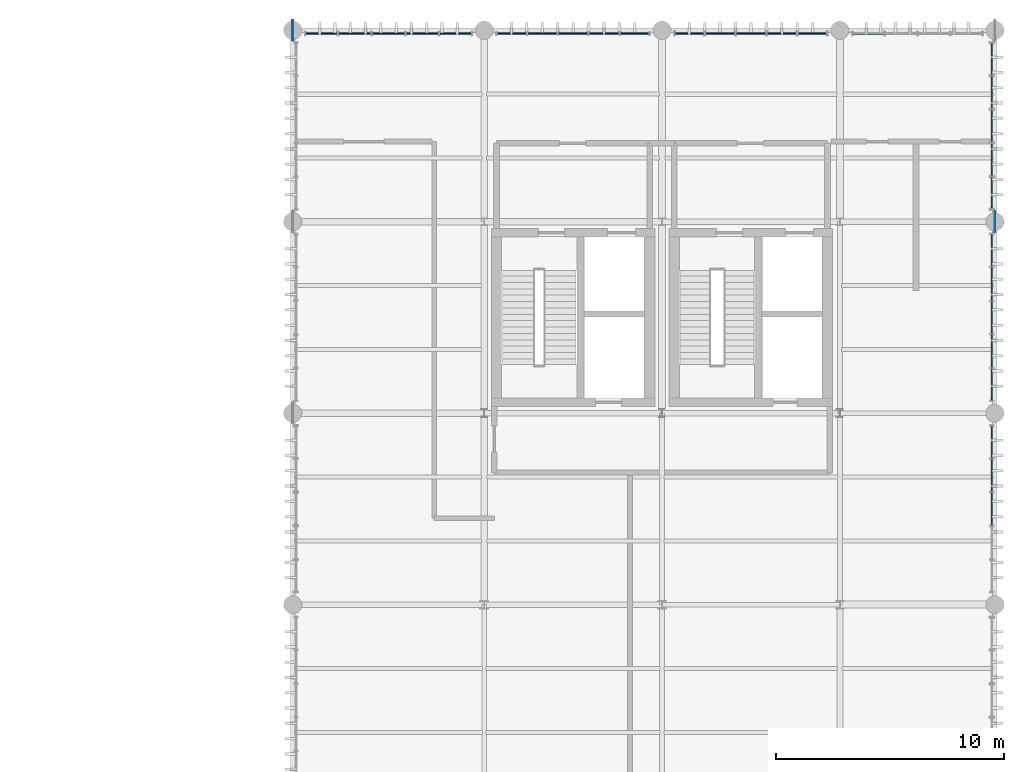
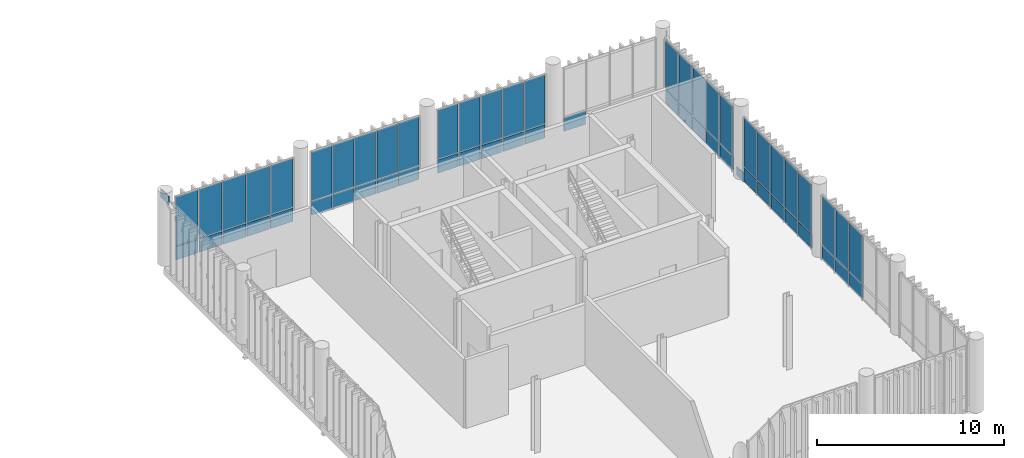
# One storey, part 74 of 94: 59 plates, 7 elements without a shape of their own.
"""IFC4 building model written with IfcOpenShell, lengths in metres."""

from ifc_helpers import new_model, si_unit, direction, frame, frame_2d, origin_with_axes, origin_2d_with_axis, place, context, subcontext, project, spatial, rectangle, extrude, material, layer, layer_set, type_object, element, aggregate, save


model = new_model("IFC4")

# Units and contexts
model_context = context("Model", 3, precision=1e-05, world=origin_with_axes(), true_north=direction((0.0, 1.0)))
body_context = subcontext(model_context, "Body", "Model", "MODEL_VIEW")
ifc_project = project(units=[si_unit("LENGTHUNIT", "METRE"), si_unit("AREAUNIT", "SQUARE_METRE"), si_unit("VOLUMEUNIT", "CUBIC_METRE"), si_unit("PLANEANGLEUNIT", "RADIAN"), si_unit("MASSUNIT", "GRAM", prefix="KILO"), si_unit("THERMODYNAMICTEMPERATUREUNIT", "KELVIN")], contexts=[model_context])

# Site, building, storey
site_placement = place(None, origin_with_axes())
site = spatial("IfcSite", under=ifc_project, at=site_placement, CompositionType="ELEMENT")
building_placement = place(site_placement, origin_with_axes())
building = spatial("IfcBuilding", under=site, at=building_placement, Name="Montbau Bow Law Courts", CompositionType="ELEMENT")
storey_placement = place(building_placement, frame((0.0, 0.0, 15.6), z_axis=(0.0, 0.0, 1.0), x_axis=(1.0, 0.0, 0.0)))
storey = spatial("IfcBuildingStorey", under=building, at=storey_placement, Name="L03", CompositionType="ELEMENT", Elevation=15.6)

# Curtain wall, plates
ifc_material_1 = material(Name="Thermally Broken Extruded Aluminium AA 6063-T6", Category="aluminium")
curtain_wall_type = type_object("IfcCurtainWallType", Name="CW-SLT-01", PredefinedType="NOTDEFINED", material=ifc_material_1)
curtain_wall_1_placement = place(None, frame((139.115, 103.06, 15.6), z_axis=(0.0, 0.0, 1.0), x_axis=(1.0, 0.0, 0.0)))
curtain_wall_1 = element("IfcCurtainWall", 1, at=curtain_wall_1_placement, inside=storey, type_object=curtain_wall_type, Name="CW-L03-313:cw_0313", PredefinedType="NOTDEFINED")
ifc_material_2 = material(Name="Triple-Glazed Low-E Argon Insulating Glass Unit", Category="glass")
ifc_layer_1 = layer(ifc_material_2, 0.044, Name="Curtain Panel", Category="glass")
ifc_layer_set_1 = layer_set([ifc_layer_1], Name="Triple-Glazed Low-E Argon Insulating Glass Unit")
plate_type_1 = type_object("IfcPlateType", Name="PL-CWP-01", PredefinedType="CURTAIN_PANEL", material=ifc_layer_set_1)
plate_1_placement = place(None, frame((139.183, 103.06, 16.579), z_axis=(0.0, -1.0, 0.0), x_axis=(1.0, 0.0, 0.0)))
plate_1 = element("IfcPlate", 2, at=plate_1_placement, type_object=plate_type_1, Name="CW-L03-313-P01-2:cw_0313_P01_2", PredefinedType="CURTAIN_PANEL", context=body_context, shape_type="SweptSolid", body=[
    extrude(rectangle(XDim=1.372, YDim=3.185, at=frame_2d((0.686, 1.5925), x_axis=(1.0, 0.0))), frame((0.0, 0.0, -0.022), z_axis=(0.0, 0.0, 1.0), x_axis=(1.0, 0.0, 0.0)), (0.0, 0.0, 1.0), 0.044),
])
plate_2_placement = place(None, frame((140.623, 103.06, 16.579), z_axis=(0.0, -1.0, 0.0), x_axis=(1.0, 0.0, 0.0)))
plate_2 = element("IfcPlate", 3, at=plate_2_placement, type_object=plate_type_1, Name="CW-L03-313-P02-2:cw_0313_P02_2", PredefinedType="CURTAIN_PANEL", context=body_context, shape_type="SweptSolid", body=[
    extrude(rectangle(XDim=1.405, YDim=3.185, at=frame_2d((0.7025, 1.5925), x_axis=(1.0, 0.0))), frame((0.0, 0.0, -0.022), z_axis=(0.0, 0.0, 1.0), x_axis=(1.0, 0.0, 0.0)), (0.0, 0.0, 1.0), 0.044),
])
plate_3_placement = place(None, frame((142.097, 103.06, 16.579), z_axis=(0.0, -1.0, 0.0), x_axis=(1.0, 0.0, 0.0)))
plate_3 = element("IfcPlate", 4, at=plate_3_placement, type_object=plate_type_1, Name="CW-L03-313-P03-2:cw_0313_P03_2", PredefinedType="CURTAIN_PANEL", context=body_context, shape_type="SweptSolid", body=[
    extrude(rectangle(XDim=1.406, YDim=3.185, at=frame_2d((0.703, 1.5925), x_axis=(1.0, 0.0))), frame((0.0, 0.0, -0.022), z_axis=(0.0, 0.0, 1.0), x_axis=(1.0, 0.0, 0.0)), (0.0, 0.0, 1.0), 0.044),
])
plate_4_placement = place(None, frame((143.571, 103.06, 16.579), z_axis=(0.0, -1.0, 0.0), x_axis=(1.0, 0.0, 0.0)))
plate_4 = element("IfcPlate", 5, at=plate_4_placement, type_object=plate_type_1, Name="CW-L03-313-P04-2:cw_0313_P04_2", PredefinedType="CURTAIN_PANEL", context=body_context, shape_type="SweptSolid", body=[
    extrude(rectangle(XDim=1.406, YDim=3.185, at=frame_2d((0.703, 1.5925), x_axis=(1.0, 0.0))), frame((0.0, 0.0, -0.022), z_axis=(0.0, 0.0, 1.0), x_axis=(1.0, 0.0, 0.0)), (0.0, 0.0, 1.0), 0.044),
])
plate_5_placement = place(None, frame((145.045, 103.06, 16.579), z_axis=(0.0, -1.0, 0.0), x_axis=(1.0, 0.0, 0.0)))
plate_5 = element("IfcPlate", 6, at=plate_5_placement, type_object=plate_type_1, Name="CW-L03-313-P05-2:cw_0313_P05_2", PredefinedType="CURTAIN_PANEL", context=body_context, shape_type="SweptSolid", body=[
    extrude(rectangle(XDim=1.374, YDim=3.185, at=frame_2d((0.687, 1.5925), x_axis=(1.0, 0.0))), frame((0.0, 0.0, -0.022), z_axis=(0.0, 0.0, 1.0), x_axis=(1.0, 0.0, 0.0)), (0.0, 0.0, 1.0), 0.044),
])

curtain_wall_2_placement = place(None, frame((147.515, 103.06, 15.6), z_axis=(0.0, 0.0, 1.0), x_axis=(1.0, 0.0, 0.0)))
curtain_wall_2 = element("IfcCurtainWall", 7, at=curtain_wall_2_placement, inside=storey, type_object=curtain_wall_type, Name="CW-L03-314:cw_0314", PredefinedType="NOTDEFINED")
plate_6_placement = place(None, frame((147.577, 103.06, 16.582), z_axis=(0.0, -1.0, 0.0), x_axis=(1.0, 0.0, 0.0)))
plate_6 = element("IfcPlate", 8, at=plate_6_placement, type_object=plate_type_1, Name="CW-L03-314-P01-2:cw_0314_P01_2", PredefinedType="CURTAIN_PANEL", context=body_context, shape_type="SweptSolid", body=[
    extrude(rectangle(XDim=1.26, YDim=3.176, at=frame_2d((0.63, 1.588), x_axis=(1.0, 0.0))), frame((0.0, 0.0, -0.022), z_axis=(0.0, 0.0, 1.0), x_axis=(1.0, 0.0, 0.0)), (0.0, 0.0, 1.0), 0.044),
])
plate_7_placement = place(None, frame((148.901, 103.06, 16.582), z_axis=(0.0, -1.0, 0.0), x_axis=(1.0, 0.0, 0.0)))
plate_7 = element("IfcPlate", 9, at=plate_7_placement, type_object=plate_type_1, Name="CW-L03-314-P02-2:cw_0314_P02_2", PredefinedType="CURTAIN_PANEL", context=body_context, shape_type="SweptSolid", body=[
    extrude(rectangle(XDim=1.29, YDim=3.176, at=frame_2d((0.645, 1.588), x_axis=(1.0, 0.0))), frame((0.0, 0.0, -0.022), z_axis=(0.0, 0.0, 1.0), x_axis=(1.0, 0.0, 0.0)), (0.0, 0.0, 1.0), 0.044),
])
plate_8_placement = place(None, frame((150.255, 103.06, 16.582), z_axis=(0.0, -1.0, 0.0), x_axis=(1.0, 0.0, 0.0)))
plate_8 = element("IfcPlate", 10, at=plate_8_placement, type_object=plate_type_1, Name="CW-L03-314-P03-2:cw_0314_P03_2", PredefinedType="CURTAIN_PANEL", context=body_context, shape_type="SweptSolid", body=[
    extrude(rectangle(XDim=1.29, YDim=3.176, at=frame_2d((0.645, 1.588), x_axis=(1.0, 0.0))), frame((0.0, 0.0, -0.022), z_axis=(0.0, 0.0, 1.0), x_axis=(1.0, 0.0, 0.0)), (0.0, 0.0, 1.0), 0.044),
])
plate_9_placement = place(None, frame((151.609, 103.06, 16.582), z_axis=(0.0, -1.0, 0.0), x_axis=(1.0, 0.0, 0.0)))
plate_9 = element("IfcPlate", 11, at=plate_9_placement, type_object=plate_type_1, Name="CW-L03-314-P04-2:cw_0314_P04_2", PredefinedType="CURTAIN_PANEL", context=body_context, shape_type="SweptSolid", body=[
    extrude(rectangle(XDim=1.29, YDim=3.176, at=frame_2d((0.645, 1.588), x_axis=(1.0, 0.0))), frame((0.0, 0.0, -0.022), z_axis=(0.0, 0.0, 1.0), x_axis=(1.0, 0.0, 0.0)), (0.0, 0.0, 1.0), 0.044),
])
plate_10_placement = place(None, frame((152.963, 103.06, 16.582), z_axis=(0.0, -1.0, 0.0), x_axis=(1.0, 0.0, 0.0)))
plate_10 = element("IfcPlate", 12, at=plate_10_placement, type_object=plate_type_1, Name="CW-L03-314-P05-2:cw_0314_P05_2", PredefinedType="CURTAIN_PANEL", context=body_context, shape_type="SweptSolid", body=[
    extrude(rectangle(XDim=1.26, YDim=3.176, at=frame_2d((0.63, 1.588), x_axis=(1.0, 0.0))), frame((0.0, 0.0, -0.022), z_axis=(0.0, 0.0, 1.0), x_axis=(1.0, 0.0, 0.0)), (0.0, 0.0, 1.0), 0.044),
])

curtain_wall_3_placement = place(None, frame((155.315, 103.06, 15.6), z_axis=(0.0, 0.0, 1.0), x_axis=(1.0, 0.0, 0.0)))
curtain_wall_3 = element("IfcCurtainWall", 13, at=curtain_wall_3_placement, inside=storey, type_object=curtain_wall_type, Name="CW-L03-315:cw_0315", PredefinedType="NOTDEFINED")
plate_11_placement = place(None, frame((155.391, 103.06, 16.579), z_axis=(0.0, -1.0, 0.0), x_axis=(1.0, 0.0, 0.0)))
plate_11 = element("IfcPlate", 14, at=plate_11_placement, type_object=plate_type_1, Name="CW-L03-315-P01-2:cw_0315_P01_2", PredefinedType="CURTAIN_PANEL", context=body_context, shape_type="SweptSolid", body=[
    extrude(rectangle(XDim=1.239, YDim=3.185, at=frame_2d((0.6195, 1.5925), x_axis=(1.0, 0.0))), frame((0.0, 0.0, -0.022), z_axis=(0.0, 0.0, 1.0), x_axis=(1.0, 0.0, 0.0)), (0.0, 0.0, 1.0), 0.044),
])
plate_12_placement = place(None, frame((156.709, 103.06, 16.579), z_axis=(0.0, -1.0, 0.0), x_axis=(1.0, 0.0, 0.0)))
plate_12 = element("IfcPlate", 15, at=plate_12_placement, type_object=plate_type_1, Name="CW-L03-315-P02-2:cw_0315_P02_2", PredefinedType="CURTAIN_PANEL", context=body_context, shape_type="SweptSolid", body=[
    extrude(rectangle(XDim=1.275, YDim=3.185, at=frame_2d((0.6375, 1.5925), x_axis=(1.0, 0.0))), frame((0.0, 0.0, -0.022), z_axis=(0.0, 0.0, 1.0), x_axis=(1.0, 0.0, 0.0)), (0.0, 0.0, 1.0), 0.044),
])
plate_13_placement = place(None, frame((158.063, 103.06, 16.579), z_axis=(0.0, -1.0, 0.0), x_axis=(1.0, 0.0, 0.0)))
plate_13 = element("IfcPlate", 16, at=plate_13_placement, type_object=plate_type_1, Name="CW-L03-315-P03-2:cw_0315_P03_2", PredefinedType="CURTAIN_PANEL", context=body_context, shape_type="SweptSolid", body=[
    extrude(rectangle(XDim=1.275, YDim=3.185, at=frame_2d((0.6375, 1.5925), x_axis=(1.0, 0.0))), frame((0.0, 0.0, -0.022), z_axis=(0.0, 0.0, 1.0), x_axis=(1.0, 0.0, 0.0)), (0.0, 0.0, 1.0), 0.044),
])
plate_14_placement = place(None, frame((159.416, 103.06, 16.579), z_axis=(0.0, -1.0, 0.0), x_axis=(1.0, 0.0, 0.0)))
plate_14 = element("IfcPlate", 17, at=plate_14_placement, type_object=plate_type_1, Name="CW-L03-315-P04-2:cw_0315_P04_2", PredefinedType="CURTAIN_PANEL", context=body_context, shape_type="SweptSolid", body=[
    extrude(rectangle(XDim=1.276, YDim=3.185, at=frame_2d((0.638, 1.5925), x_axis=(1.0, 0.0))), frame((0.0, 0.0, -0.022), z_axis=(0.0, 0.0, 1.0), x_axis=(1.0, 0.0, 0.0)), (0.0, 0.0, 1.0), 0.044),
])
plate_15_placement = place(None, frame((160.77, 103.06, 16.579), z_axis=(0.0, -1.0, 0.0), x_axis=(1.0, 0.0, 0.0)))
plate_15 = element("IfcPlate", 18, at=plate_15_placement, type_object=plate_type_1, Name="CW-L03-315-P05-2:cw_0315_P05_2", PredefinedType="CURTAIN_PANEL", context=body_context, shape_type="SweptSolid", body=[
    extrude(rectangle(XDim=1.239, YDim=3.185, at=frame_2d((0.6195, 1.5925), x_axis=(1.0, 0.0))), frame((0.0, 0.0, -0.022), z_axis=(0.0, 0.0, 1.0), x_axis=(1.0, 0.0, 0.0)), (0.0, 0.0, 1.0), 0.044),
])

curtain_wall_4_placement = place(None, frame((169.26, 78.515, 15.6), z_axis=(0.0, 0.0, 1.0), x_axis=(1.0, 0.0, 0.0)))
curtain_wall_4 = element("IfcCurtainWall", 19, at=curtain_wall_4_placement, inside=storey, type_object=curtain_wall_type, Name="CW-L03-322:cw_0322", PredefinedType="NOTDEFINED")
plate_16_placement = place(None, frame((169.26, 81.497, 16.582), z_axis=(1.0, 0.0, 0.0), x_axis=(0.0, 1.0, 0.0)))
plate_16 = element("IfcPlate", 20, at=plate_16_placement, type_object=plate_type_1, Name="CW-L03-322-P03-2:cw_0322_P03_2", PredefinedType="CURTAIN_PANEL", context=body_context, shape_type="SweptSolid", body=[
    extrude(rectangle(XDim=1.406, YDim=3.176, at=frame_2d((0.703, 1.588), x_axis=(1.0, 0.0))), frame((0.0, 0.0, -0.022), z_axis=(0.0, 0.0, 1.0), x_axis=(1.0, 0.0, 0.0)), (0.0, 0.0, 1.0), 0.044),
])
plate_17_placement = place(None, frame((169.26, 82.971, 16.582), z_axis=(1.0, 0.0, 0.0), x_axis=(0.0, 1.0, 0.0)))
plate_17 = element("IfcPlate", 21, at=plate_17_placement, type_object=plate_type_1, Name="CW-L03-322-P04-2:cw_0322_P04_2", PredefinedType="CURTAIN_PANEL", context=body_context, shape_type="SweptSolid", body=[
    extrude(rectangle(XDim=1.406, YDim=3.176, at=frame_2d((0.703, 1.588), x_axis=(1.0, 0.0))), frame((0.0, 0.0, -0.022), z_axis=(0.0, 0.0, 1.0), x_axis=(1.0, 0.0, 0.0)), (0.0, 0.0, 1.0), 0.044),
])
plate_18_placement = place(None, frame((169.26, 84.445, 16.582), z_axis=(1.0, 0.0, 0.0), x_axis=(0.0, 1.0, 0.0)))
plate_18 = element("IfcPlate", 22, at=plate_18_placement, type_object=plate_type_1, Name="CW-L03-322-P05-2:cw_0322_P05_2", PredefinedType="CURTAIN_PANEL", context=body_context, shape_type="SweptSolid", body=[
    extrude(rectangle(XDim=1.374, YDim=3.176, at=frame_2d((0.687, 1.588), x_axis=(1.0, 0.0))), frame((0.0, 0.0, -0.022), z_axis=(0.0, 0.0, 1.0), x_axis=(1.0, 0.0, 0.0)), (0.0, 0.0, 1.0), 0.044),
])

curtain_wall_5_placement = place(None, frame((169.26, 86.915, 15.6), z_axis=(0.0, 0.0, 1.0), x_axis=(1.0, 0.0, 0.0)))
curtain_wall_5 = element("IfcCurtainWall", 23, at=curtain_wall_5_placement, inside=storey, type_object=curtain_wall_type, Name="CW-L03-323:cw_0323", PredefinedType="NOTDEFINED")
plate_19_placement = place(None, frame((169.26, 86.977, 16.579), z_axis=(1.0, 0.0, 0.0), x_axis=(0.0, 1.0, 0.0)))
plate_19 = element("IfcPlate", 24, at=plate_19_placement, type_object=plate_type_1, Name="CW-L03-323-P01-2:cw_0323_P01_2", PredefinedType="CURTAIN_PANEL", context=body_context, shape_type="SweptSolid", body=[
    extrude(rectangle(XDim=1.38, YDim=3.185, at=frame_2d((0.69, 1.5925), x_axis=(1.0, 0.0))), frame((0.0, 0.0, -0.022), z_axis=(0.0, 0.0, 1.0), x_axis=(1.0, 0.0, 0.0)), (0.0, 0.0, 1.0), 0.044),
])
plate_20_placement = place(None, frame((169.26, 88.421, 16.579), z_axis=(1.0, 0.0, 0.0), x_axis=(0.0, 1.0, 0.0)))
plate_20 = element("IfcPlate", 25, at=plate_20_placement, type_object=plate_type_1, Name="CW-L03-323-P02-2:cw_0323_P02_2", PredefinedType="CURTAIN_PANEL", context=body_context, shape_type="SweptSolid", body=[
    extrude(rectangle(XDim=1.41, YDim=3.185, at=frame_2d((0.705, 1.5925), x_axis=(1.0, 0.0))), frame((0.0, 0.0, -0.022), z_axis=(0.0, 0.0, 1.0), x_axis=(1.0, 0.0, 0.0)), (0.0, 0.0, 1.0), 0.044),
])
plate_21_placement = place(None, frame((169.26, 89.895, 16.579), z_axis=(1.0, 0.0, 0.0), x_axis=(0.0, 1.0, 0.0)))
plate_21 = element("IfcPlate", 26, at=plate_21_placement, type_object=plate_type_1, Name="CW-L03-323-P03-2:cw_0323_P03_2", PredefinedType="CURTAIN_PANEL", context=body_context, shape_type="SweptSolid", body=[
    extrude(rectangle(XDim=1.41, YDim=3.185, at=frame_2d((0.705, 1.5925), x_axis=(1.0, 0.0))), frame((0.0, 0.0, -0.022), z_axis=(0.0, 0.0, 1.0), x_axis=(1.0, 0.0, 0.0)), (0.0, 0.0, 1.0), 0.044),
])
plate_22_placement = place(None, frame((169.26, 91.369, 16.579), z_axis=(1.0, 0.0, 0.0), x_axis=(0.0, 1.0, 0.0)))
plate_22 = element("IfcPlate", 27, at=plate_22_placement, type_object=plate_type_1, Name="CW-L03-323-P04-2:cw_0323_P04_2", PredefinedType="CURTAIN_PANEL", context=body_context, shape_type="SweptSolid", body=[
    extrude(rectangle(XDim=1.41, YDim=3.185, at=frame_2d((0.705, 1.5925), x_axis=(1.0, 0.0))), frame((0.0, 0.0, -0.022), z_axis=(0.0, 0.0, 1.0), x_axis=(1.0, 0.0, 0.0)), (0.0, 0.0, 1.0), 0.044),
])
plate_23_placement = place(None, frame((169.26, 92.843, 16.579), z_axis=(1.0, 0.0, 0.0), x_axis=(0.0, 1.0, 0.0)))
plate_23 = element("IfcPlate", 28, at=plate_23_placement, type_object=plate_type_1, Name="CW-L03-323-P05-2:cw_0323_P05_2", PredefinedType="CURTAIN_PANEL", context=body_context, shape_type="SweptSolid", body=[
    extrude(rectangle(XDim=1.38, YDim=3.185, at=frame_2d((0.69, 1.5925), x_axis=(1.0, 0.0))), frame((0.0, 0.0, -0.022), z_axis=(0.0, 0.0, 1.0), x_axis=(1.0, 0.0, 0.0)), (0.0, 0.0, 1.0), 0.044),
])

curtain_wall_6_placement = place(None, frame((169.26, 95.315, 15.6), z_axis=(0.0, 0.0, 1.0), x_axis=(1.0, 0.0, 0.0)))
curtain_wall_6 = element("IfcCurtainWall", 29, at=curtain_wall_6_placement, inside=storey, type_object=curtain_wall_type, Name="CW-L03-324:cw_0324", PredefinedType="NOTDEFINED")
plate_24_placement = place(None, frame((169.26, 95.391, 16.582), z_axis=(1.0, 0.0, 0.0), x_axis=(0.0, 1.0, 0.0)))
plate_24 = element("IfcPlate", 30, at=plate_24_placement, type_object=plate_type_1, Name="CW-L03-324-P01-2:cw_0324_P01_2", PredefinedType="CURTAIN_PANEL", context=body_context, shape_type="SweptSolid", body=[
    extrude(rectangle(XDim=1.358, YDim=3.176, at=frame_2d((0.679, 1.588), x_axis=(1.0, 0.0))), frame((0.0, 0.0, -0.022), z_axis=(0.0, 0.0, 1.0), x_axis=(1.0, 0.0, 0.0)), (0.0, 0.0, 1.0), 0.044),
])
plate_25_placement = place(None, frame((169.26, 96.829, 16.582), z_axis=(1.0, 0.0, 0.0), x_axis=(0.0, 1.0, 0.0)))
plate_25 = element("IfcPlate", 31, at=plate_25_placement, type_object=plate_type_1, Name="CW-L03-324-P02-2:cw_0324_P02_2", PredefinedType="CURTAIN_PANEL", context=body_context, shape_type="SweptSolid", body=[
    extrude(rectangle(XDim=1.395, YDim=3.176, at=frame_2d((0.6975, 1.588), x_axis=(1.0, 0.0))), frame((0.0, 0.0, -0.022), z_axis=(0.0, 0.0, 1.0), x_axis=(1.0, 0.0, 0.0)), (0.0, 0.0, 1.0), 0.044),
])
plate_26_placement = place(None, frame((169.26, 98.302, 16.582), z_axis=(1.0, 0.0, 0.0), x_axis=(0.0, 1.0, 0.0)))
plate_26 = element("IfcPlate", 32, at=plate_26_placement, type_object=plate_type_1, Name="CW-L03-324-P03-2:cw_0324_P03_2", PredefinedType="CURTAIN_PANEL", context=body_context, shape_type="SweptSolid", body=[
    extrude(rectangle(XDim=1.396, YDim=3.176, at=frame_2d((0.698, 1.588), x_axis=(1.0, 0.0))), frame((0.0, 0.0, -0.022), z_axis=(0.0, 0.0, 1.0), x_axis=(1.0, 0.0, 0.0)), (0.0, 0.0, 1.0), 0.044),
])
plate_27_placement = place(None, frame((169.26, 99.776, 16.582), z_axis=(1.0, 0.0, 0.0), x_axis=(0.0, 1.0, 0.0)))
plate_27 = element("IfcPlate", 33, at=plate_27_placement, type_object=plate_type_1, Name="CW-L03-324-P04-2:cw_0324_P04_2", PredefinedType="CURTAIN_PANEL", context=body_context, shape_type="SweptSolid", body=[
    extrude(rectangle(XDim=1.396, YDim=3.176, at=frame_2d((0.698, 1.588), x_axis=(1.0, 0.0))), frame((0.0, 0.0, -0.022), z_axis=(0.0, 0.0, 1.0), x_axis=(1.0, 0.0, 0.0)), (0.0, 0.0, 1.0), 0.044),
])
plate_28_placement = place(None, frame((169.26, 101.25, 16.582), z_axis=(1.0, 0.0, 0.0), x_axis=(0.0, 1.0, 0.0)))
plate_28 = element("IfcPlate", 34, at=plate_28_placement, type_object=plate_type_1, Name="CW-L03-324-P05-2:cw_0324_P05_2", PredefinedType="CURTAIN_PANEL", context=body_context, shape_type="SweptSolid", body=[
    extrude(rectangle(XDim=1.359, YDim=3.176, at=frame_2d((0.6795, 1.588), x_axis=(1.0, 0.0))), frame((0.0, 0.0, -0.022), z_axis=(0.0, 0.0, 1.0), x_axis=(1.0, 0.0, 0.0)), (0.0, 0.0, 1.0), 0.044),
])

# Plate
ifc_material_3 = material(Name="Insulated Ceramic-Frit Spandrel Glazing Unit", Category="glass")
ifc_layer_2 = layer(ifc_material_3, 0.056, Name="Curtain Panel", Category="glass")
ifc_layer_set_2 = layer_set([ifc_layer_2], Name="Insulated Ceramic-Frit Spandrel Glazing Unit")
plate_type_2 = type_object("IfcPlateType", Name="PL-CWP-02", PredefinedType="CURTAIN_PANEL", material=ifc_layer_set_2)
plate_29_placement = place(None, frame((139.183, 103.06, 15.657), z_axis=(0.0, -1.0, 0.0), x_axis=(1.0, 0.0, 0.0)))
plate_29 = element("IfcPlate", 35, at=plate_29_placement, type_object=plate_type_2, Name="CW-L03-313-P01-1:cw_0313_P01_1", PredefinedType="CURTAIN_PANEL", context=body_context, shape_type="SweptSolid", body=[
    extrude(rectangle(XDim=1.372, YDim=0.864, at=frame_2d((0.686, 0.432), x_axis=(1.0, 0.0))), frame((0.0, 0.0, -0.028), z_axis=(0.0, 0.0, 1.0), x_axis=(1.0, 0.0, 0.0)), (0.0, 0.0, 1.0), 0.056),
])

plate_30_placement = place(None, frame((140.623, 103.06, 15.657), z_axis=(0.0, -1.0, 0.0), x_axis=(1.0, 0.0, 0.0)))
plate_30 = element("IfcPlate", 36, at=plate_30_placement, type_object=plate_type_2, Name="CW-L03-313-P02-1:cw_0313_P02_1", PredefinedType="CURTAIN_PANEL", context=body_context, shape_type="SweptSolid", body=[
    extrude(rectangle(XDim=1.405, YDim=0.864, at=frame_2d((0.7025, 0.432), x_axis=(1.0, 0.0))), frame((0.0, 0.0, -0.028), z_axis=(0.0, 0.0, 1.0), x_axis=(1.0, 0.0, 0.0)), (0.0, 0.0, 1.0), 0.056),
])

plate_31_placement = place(None, frame((142.097, 103.06, 15.657), z_axis=(0.0, -1.0, 0.0), x_axis=(1.0, 0.0, 0.0)))
plate_31 = element("IfcPlate", 37, at=plate_31_placement, type_object=plate_type_2, Name="CW-L03-313-P03-1:cw_0313_P03_1", PredefinedType="CURTAIN_PANEL", context=body_context, shape_type="SweptSolid", body=[
    extrude(rectangle(XDim=1.406, YDim=0.864, at=frame_2d((0.703, 0.432), x_axis=(1.0, 0.0))), frame((0.0, 0.0, -0.028), z_axis=(0.0, 0.0, 1.0), x_axis=(1.0, 0.0, 0.0)), (0.0, 0.0, 1.0), 0.056),
])

plate_32_placement = place(None, frame((143.571, 103.06, 15.657), z_axis=(0.0, -1.0, 0.0), x_axis=(1.0, 0.0, 0.0)))
plate_32 = element("IfcPlate", 38, at=plate_32_placement, type_object=plate_type_2, Name="CW-L03-313-P04-1:cw_0313_P04_1", PredefinedType="CURTAIN_PANEL", context=body_context, shape_type="SweptSolid", body=[
    extrude(rectangle(XDim=1.406, YDim=0.864, at=frame_2d((0.703, 0.432), x_axis=(1.0, 0.0))), frame((0.0, 0.0, -0.028), z_axis=(0.0, 0.0, 1.0), x_axis=(1.0, 0.0, 0.0)), (0.0, 0.0, 1.0), 0.056),
])

plate_33_placement = place(None, frame((145.045, 103.06, 15.657), z_axis=(0.0, -1.0, 0.0), x_axis=(1.0, 0.0, 0.0)))
plate_33 = element("IfcPlate", 39, at=plate_33_placement, type_object=plate_type_2, Name="CW-L03-313-P05-1:cw_0313_P05_1", PredefinedType="CURTAIN_PANEL", context=body_context, shape_type="SweptSolid", body=[
    extrude(rectangle(XDim=1.374, YDim=0.864, at=frame_2d((0.687, 0.432), x_axis=(1.0, 0.0))), frame((0.0, 0.0, -0.028), z_axis=(0.0, 0.0, 1.0), x_axis=(1.0, 0.0, 0.0)), (0.0, 0.0, 1.0), 0.056),
])

aggregate(curtain_wall_1, [plate_29, plate_1, plate_30, plate_2, plate_31, plate_3, plate_32, plate_4, plate_33, plate_5])

plate_34_placement = place(None, frame((147.577, 103.06, 15.662), z_axis=(0.0, -1.0, 0.0), x_axis=(1.0, 0.0, 0.0)))
plate_34 = element("IfcPlate", 40, at=plate_34_placement, type_object=plate_type_2, Name="CW-L03-314-P01-1:cw_0314_P01_1", PredefinedType="CURTAIN_PANEL", context=body_context, shape_type="SweptSolid", body=[
    extrude(rectangle(XDim=1.26, YDim=0.856, at=frame_2d((0.63, 0.428), x_axis=(1.0, 0.0))), frame((0.0, 0.0, -0.028), z_axis=(0.0, 0.0, 1.0), x_axis=(1.0, 0.0, 0.0)), (0.0, 0.0, 1.0), 0.056),
])

plate_35_placement = place(None, frame((148.901, 103.06, 15.662), z_axis=(0.0, -1.0, 0.0), x_axis=(1.0, 0.0, 0.0)))
plate_35 = element("IfcPlate", 41, at=plate_35_placement, type_object=plate_type_2, Name="CW-L03-314-P02-1:cw_0314_P02_1", PredefinedType="CURTAIN_PANEL", context=body_context, shape_type="SweptSolid", body=[
    extrude(rectangle(XDim=1.29, YDim=0.856, at=frame_2d((0.645, 0.428), x_axis=(1.0, 0.0))), frame((0.0, 0.0, -0.028), z_axis=(0.0, 0.0, 1.0), x_axis=(1.0, 0.0, 0.0)), (0.0, 0.0, 1.0), 0.056),
])

plate_36_placement = place(None, frame((150.255, 103.06, 15.662), z_axis=(0.0, -1.0, 0.0), x_axis=(1.0, 0.0, 0.0)))
plate_36 = element("IfcPlate", 42, at=plate_36_placement, type_object=plate_type_2, Name="CW-L03-314-P03-1:cw_0314_P03_1", PredefinedType="CURTAIN_PANEL", context=body_context, shape_type="SweptSolid", body=[
    extrude(rectangle(XDim=1.29, YDim=0.856, at=frame_2d((0.645, 0.428), x_axis=(1.0, 0.0))), frame((0.0, 0.0, -0.028), z_axis=(0.0, 0.0, 1.0), x_axis=(1.0, 0.0, 0.0)), (0.0, 0.0, 1.0), 0.056),
])

plate_37_placement = place(None, frame((151.609, 103.06, 15.662), z_axis=(0.0, -1.0, 0.0), x_axis=(1.0, 0.0, 0.0)))
plate_37 = element("IfcPlate", 43, at=plate_37_placement, type_object=plate_type_2, Name="CW-L03-314-P04-1:cw_0314_P04_1", PredefinedType="CURTAIN_PANEL", context=body_context, shape_type="SweptSolid", body=[
    extrude(rectangle(XDim=1.29, YDim=0.856, at=frame_2d((0.645, 0.428), x_axis=(1.0, 0.0))), frame((0.0, 0.0, -0.028), z_axis=(0.0, 0.0, 1.0), x_axis=(1.0, 0.0, 0.0)), (0.0, 0.0, 1.0), 0.056),
])

plate_38_placement = place(None, frame((152.963, 103.06, 15.662), z_axis=(0.0, -1.0, 0.0), x_axis=(1.0, 0.0, 0.0)))
plate_38 = element("IfcPlate", 44, at=plate_38_placement, type_object=plate_type_2, Name="CW-L03-314-P05-1:cw_0314_P05_1", PredefinedType="CURTAIN_PANEL", context=body_context, shape_type="SweptSolid", body=[
    extrude(rectangle(XDim=1.26, YDim=0.856, at=frame_2d((0.63, 0.428), x_axis=(1.0, 0.0))), frame((0.0, 0.0, -0.028), z_axis=(0.0, 0.0, 1.0), x_axis=(1.0, 0.0, 0.0)), (0.0, 0.0, 1.0), 0.056),
])

aggregate(curtain_wall_2, [plate_34, plate_6, plate_35, plate_7, plate_36, plate_8, plate_37, plate_9, plate_38, plate_10])

plate_39_placement = place(None, frame((155.391, 103.06, 15.657), z_axis=(0.0, -1.0, 0.0), x_axis=(1.0, 0.0, 0.0)))
plate_39 = element("IfcPlate", 45, at=plate_39_placement, type_object=plate_type_2, Name="CW-L03-315-P01-1:cw_0315_P01_1", PredefinedType="CURTAIN_PANEL", context=body_context, shape_type="SweptSolid", body=[
    extrude(rectangle(XDim=1.239, YDim=0.864, at=frame_2d((0.6195, 0.432), x_axis=(1.0, 0.0))), frame((0.0, 0.0, -0.028), z_axis=(0.0, 0.0, 1.0), x_axis=(1.0, 0.0, 0.0)), (0.0, 0.0, 1.0), 0.056),
])

plate_40_placement = place(None, frame((156.709, 103.06, 15.657), z_axis=(0.0, -1.0, 0.0), x_axis=(1.0, 0.0, 0.0)))
plate_40 = element("IfcPlate", 46, at=plate_40_placement, type_object=plate_type_2, Name="CW-L03-315-P02-1:cw_0315_P02_1", PredefinedType="CURTAIN_PANEL", context=body_context, shape_type="SweptSolid", body=[
    extrude(rectangle(XDim=1.275, YDim=0.864, at=frame_2d((0.6375, 0.432), x_axis=(1.0, 0.0))), frame((0.0, 0.0, -0.028), z_axis=(0.0, 0.0, 1.0), x_axis=(1.0, 0.0, 0.0)), (0.0, 0.0, 1.0), 0.056),
])

plate_41_placement = place(None, frame((158.063, 103.06, 15.657), z_axis=(0.0, -1.0, 0.0), x_axis=(1.0, 0.0, 0.0)))
plate_41 = element("IfcPlate", 47, at=plate_41_placement, type_object=plate_type_2, Name="CW-L03-315-P03-1:cw_0315_P03_1", PredefinedType="CURTAIN_PANEL", context=body_context, shape_type="SweptSolid", body=[
    extrude(rectangle(XDim=1.275, YDim=0.864, at=frame_2d((0.6375, 0.432), x_axis=(1.0, 0.0))), frame((0.0, 0.0, -0.028), z_axis=(0.0, 0.0, 1.0), x_axis=(1.0, 0.0, 0.0)), (0.0, 0.0, 1.0), 0.056),
])

plate_42_placement = place(None, frame((159.416, 103.06, 15.657), z_axis=(0.0, -1.0, 0.0), x_axis=(1.0, 0.0, 0.0)))
plate_42 = element("IfcPlate", 48, at=plate_42_placement, type_object=plate_type_2, Name="CW-L03-315-P04-1:cw_0315_P04_1", PredefinedType="CURTAIN_PANEL", context=body_context, shape_type="SweptSolid", body=[
    extrude(rectangle(XDim=1.276, YDim=0.864, at=frame_2d((0.638, 0.432), x_axis=(1.0, 0.0))), frame((0.0, 0.0, -0.028), z_axis=(0.0, 0.0, 1.0), x_axis=(1.0, 0.0, 0.0)), (0.0, 0.0, 1.0), 0.056),
])

plate_43_placement = place(None, frame((160.77, 103.06, 15.657), z_axis=(0.0, -1.0, 0.0), x_axis=(1.0, 0.0, 0.0)))
plate_43 = element("IfcPlate", 49, at=plate_43_placement, type_object=plate_type_2, Name="CW-L03-315-P05-1:cw_0315_P05_1", PredefinedType="CURTAIN_PANEL", context=body_context, shape_type="SweptSolid", body=[
    extrude(rectangle(XDim=1.239, YDim=0.864, at=frame_2d((0.6195, 0.432), x_axis=(1.0, 0.0))), frame((0.0, 0.0, -0.028), z_axis=(0.0, 0.0, 1.0), x_axis=(1.0, 0.0, 0.0)), (0.0, 0.0, 1.0), 0.056),
])

aggregate(curtain_wall_3, [plate_39, plate_11, plate_40, plate_12, plate_41, plate_13, plate_42, plate_14, plate_43, plate_15])

# Curtain wall, plate
curtain_wall_7_placement = place(None, frame((163.115, 103.06, 15.6), z_axis=(0.0, 0.0, 1.0), x_axis=(1.0, 0.0, 0.0)))
curtain_wall_7 = element("IfcCurtainWall", 50, at=curtain_wall_7_placement, inside=storey, type_object=curtain_wall_type, Name="CW-L03-316:cw_0316", PredefinedType="NOTDEFINED")
plate_44_placement = place(None, frame((163.183, 103.06, 15.662), z_axis=(0.0, -1.0, 0.0), x_axis=(1.0, 0.0, 0.0)))
plate_44 = element("IfcPlate", 51, at=plate_44_placement, type_object=plate_type_2, Name="CW-L03-316-P01-1:cw_0316_P01_1", PredefinedType="CURTAIN_PANEL", context=body_context, shape_type="SweptSolid", body=[
    extrude(rectangle(XDim=1.339, YDim=0.856, at=frame_2d((0.6695, 0.428), x_axis=(1.0, 0.0))), frame((0.0, 0.0, -0.028), z_axis=(0.0, 0.0, 1.0), x_axis=(1.0, 0.0, 0.0)), (0.0, 0.0, 1.0), 0.056),
])
aggregate(curtain_wall_7, [plate_44])

# Plate
plate_45_placement = place(None, frame((169.26, 81.497, 15.662), z_axis=(1.0, 0.0, 0.0), x_axis=(0.0, 1.0, 0.0)))
plate_45 = element("IfcPlate", 52, at=plate_45_placement, type_object=plate_type_2, Name="CW-L03-322-P03-1:cw_0322_P03_1", PredefinedType="CURTAIN_PANEL", context=body_context, shape_type="SweptSolid", body=[
    extrude(rectangle(XDim=1.406, YDim=0.856, at=frame_2d((0.703, 0.428), x_axis=(1.0, 0.0))), frame((0.0, 0.0, -0.028), z_axis=(0.0, 0.0, 1.0), x_axis=(1.0, 0.0, 0.0)), (0.0, 0.0, 1.0), 0.056),
])

plate_46_placement = place(None, frame((169.26, 82.971, 15.662), z_axis=(1.0, 0.0, 0.0), x_axis=(0.0, 1.0, 0.0)))
plate_46 = element("IfcPlate", 53, at=plate_46_placement, type_object=plate_type_2, Name="CW-L03-322-P04-1:cw_0322_P04_1", PredefinedType="CURTAIN_PANEL", context=body_context, shape_type="SweptSolid", body=[
    extrude(rectangle(XDim=1.406, YDim=0.856, at=frame_2d((0.703, 0.428), x_axis=(1.0, 0.0))), frame((0.0, 0.0, -0.028), z_axis=(0.0, 0.0, 1.0), x_axis=(1.0, 0.0, 0.0)), (0.0, 0.0, 1.0), 0.056),
])

plate_47_placement = place(None, frame((169.26, 84.445, 15.662), z_axis=(1.0, 0.0, 0.0), x_axis=(0.0, 1.0, 0.0)))
plate_47 = element("IfcPlate", 54, at=plate_47_placement, type_object=plate_type_2, Name="CW-L03-322-P05-1:cw_0322_P05_1", PredefinedType="CURTAIN_PANEL", context=body_context, shape_type="SweptSolid", body=[
    extrude(rectangle(XDim=1.374, YDim=0.856, at=frame_2d((0.687, 0.428), x_axis=(1.0, 0.0))), frame((0.0, 0.0, -0.028), z_axis=(0.0, 0.0, 1.0), x_axis=(1.0, 0.0, 0.0)), (0.0, 0.0, 1.0), 0.056),
])

aggregate(curtain_wall_4, [plate_45, plate_16, plate_46, plate_17, plate_47, plate_18])

plate_48_placement = place(None, frame((169.26, 86.977, 15.657), z_axis=(1.0, 0.0, 0.0), x_axis=(0.0, 1.0, 0.0)))
plate_48 = element("IfcPlate", 55, at=plate_48_placement, type_object=plate_type_2, Name="CW-L03-323-P01-1:cw_0323_P01_1", PredefinedType="CURTAIN_PANEL", context=body_context, shape_type="SweptSolid", body=[
    extrude(rectangle(XDim=1.38, YDim=0.864, at=frame_2d((0.69, 0.432), x_axis=(1.0, 0.0))), frame((0.0, 0.0, -0.028), z_axis=(0.0, 0.0, 1.0), x_axis=(1.0, 0.0, 0.0)), (0.0, 0.0, 1.0), 0.056),
])

plate_49_placement = place(None, frame((169.26, 88.421, 15.657), z_axis=(1.0, 0.0, 0.0), x_axis=(0.0, 1.0, 0.0)))
plate_49 = element("IfcPlate", 56, at=plate_49_placement, type_object=plate_type_2, Name="CW-L03-323-P02-1:cw_0323_P02_1", PredefinedType="CURTAIN_PANEL", context=body_context, shape_type="SweptSolid", body=[
    extrude(rectangle(XDim=1.41, YDim=0.864, at=frame_2d((0.705, 0.432), x_axis=(1.0, 0.0))), frame((0.0, 0.0, -0.028), z_axis=(0.0, 0.0, 1.0), x_axis=(1.0, 0.0, 0.0)), (0.0, 0.0, 1.0), 0.056),
])

plate_50_placement = place(None, frame((169.26, 89.895, 15.657), z_axis=(1.0, 0.0, 0.0), x_axis=(0.0, 1.0, 0.0)))
plate_50 = element("IfcPlate", 57, at=plate_50_placement, type_object=plate_type_2, Name="CW-L03-323-P03-1:cw_0323_P03_1", PredefinedType="CURTAIN_PANEL", context=body_context, shape_type="SweptSolid", body=[
    extrude(rectangle(XDim=1.41, YDim=0.864, at=frame_2d((0.705, 0.432), x_axis=(1.0, 0.0))), frame((0.0, 0.0, -0.028), z_axis=(0.0, 0.0, 1.0), x_axis=(1.0, 0.0, 0.0)), (0.0, 0.0, 1.0), 0.056),
])

plate_51_placement = place(None, frame((169.26, 91.369, 15.657), z_axis=(1.0, 0.0, 0.0), x_axis=(0.0, 1.0, 0.0)))
plate_51 = element("IfcPlate", 58, at=plate_51_placement, type_object=plate_type_2, Name="CW-L03-323-P04-1:cw_0323_P04_1", PredefinedType="CURTAIN_PANEL", context=body_context, shape_type="SweptSolid", body=[
    extrude(rectangle(XDim=1.41, YDim=0.864, at=frame_2d((0.705, 0.432), x_axis=(1.0, 0.0))), frame((0.0, 0.0, -0.028), z_axis=(0.0, 0.0, 1.0), x_axis=(1.0, 0.0, 0.0)), (0.0, 0.0, 1.0), 0.056),
])

plate_52_placement = place(None, frame((169.26, 92.843, 15.657), z_axis=(1.0, 0.0, 0.0), x_axis=(0.0, 1.0, 0.0)))
plate_52 = element("IfcPlate", 59, at=plate_52_placement, type_object=plate_type_2, Name="CW-L03-323-P05-1:cw_0323_P05_1", PredefinedType="CURTAIN_PANEL", context=body_context, shape_type="SweptSolid", body=[
    extrude(rectangle(XDim=1.38, YDim=0.864, at=frame_2d((0.69, 0.432), x_axis=(1.0, 0.0))), frame((0.0, 0.0, -0.028), z_axis=(0.0, 0.0, 1.0), x_axis=(1.0, 0.0, 0.0)), (0.0, 0.0, 1.0), 0.056),
])

aggregate(curtain_wall_5, [plate_48, plate_19, plate_49, plate_20, plate_50, plate_21, plate_51, plate_22, plate_52, plate_23])

plate_53_placement = place(None, frame((169.26, 95.391, 15.662), z_axis=(1.0, 0.0, 0.0), x_axis=(0.0, 1.0, 0.0)))
plate_53 = element("IfcPlate", 60, at=plate_53_placement, type_object=plate_type_2, Name="CW-L03-324-P01-1:cw_0324_P01_1", PredefinedType="CURTAIN_PANEL", context=body_context, shape_type="SweptSolid", body=[
    extrude(rectangle(XDim=1.358, YDim=0.856, at=frame_2d((0.679, 0.428), x_axis=(1.0, 0.0))), frame((0.0, 0.0, -0.028), z_axis=(0.0, 0.0, 1.0), x_axis=(1.0, 0.0, 0.0)), (0.0, 0.0, 1.0), 0.056),
])

plate_54_placement = place(None, frame((169.26, 96.829, 15.662), z_axis=(1.0, 0.0, 0.0), x_axis=(0.0, 1.0, 0.0)))
plate_54 = element("IfcPlate", 61, at=plate_54_placement, type_object=plate_type_2, Name="CW-L03-324-P02-1:cw_0324_P02_1", PredefinedType="CURTAIN_PANEL", context=body_context, shape_type="SweptSolid", body=[
    extrude(rectangle(XDim=1.395, YDim=0.856, at=frame_2d((0.6975, 0.428), x_axis=(1.0, 0.0))), frame((0.0, 0.0, -0.028), z_axis=(0.0, 0.0, 1.0), x_axis=(1.0, 0.0, 0.0)), (0.0, 0.0, 1.0), 0.056),
])

plate_55_placement = place(None, frame((169.26, 98.302, 15.662), z_axis=(1.0, 0.0, 0.0), x_axis=(0.0, 1.0, 0.0)))
plate_55 = element("IfcPlate", 62, at=plate_55_placement, type_object=plate_type_2, Name="CW-L03-324-P03-1:cw_0324_P03_1", PredefinedType="CURTAIN_PANEL", context=body_context, shape_type="SweptSolid", body=[
    extrude(rectangle(XDim=1.396, YDim=0.856, at=frame_2d((0.698, 0.428), x_axis=(1.0, 0.0))), frame((0.0, 0.0, -0.028), z_axis=(0.0, 0.0, 1.0), x_axis=(1.0, 0.0, 0.0)), (0.0, 0.0, 1.0), 0.056),
])

plate_56_placement = place(None, frame((169.26, 99.776, 15.662), z_axis=(1.0, 0.0, 0.0), x_axis=(0.0, 1.0, 0.0)))
plate_56 = element("IfcPlate", 63, at=plate_56_placement, type_object=plate_type_2, Name="CW-L03-324-P04-1:cw_0324_P04_1", PredefinedType="CURTAIN_PANEL", context=body_context, shape_type="SweptSolid", body=[
    extrude(rectangle(XDim=1.396, YDim=0.856, at=frame_2d((0.698, 0.428), x_axis=(1.0, 0.0))), frame((0.0, 0.0, -0.028), z_axis=(0.0, 0.0, 1.0), x_axis=(1.0, 0.0, 0.0)), (0.0, 0.0, 1.0), 0.056),
])

plate_57_placement = place(None, frame((169.26, 101.25, 15.662), z_axis=(1.0, 0.0, 0.0), x_axis=(0.0, 1.0, 0.0)))
plate_57 = element("IfcPlate", 64, at=plate_57_placement, type_object=plate_type_2, Name="CW-L03-324-P05-1:cw_0324_P05_1", PredefinedType="CURTAIN_PANEL", context=body_context, shape_type="SweptSolid", body=[
    extrude(rectangle(XDim=1.359, YDim=0.856, at=frame_2d((0.6795, 0.428), x_axis=(1.0, 0.0))), frame((0.0, 0.0, -0.028), z_axis=(0.0, 0.0, 1.0), x_axis=(1.0, 0.0, 0.0)), (0.0, 0.0, 1.0), 0.056),
])

aggregate(curtain_wall_6, [plate_53, plate_24, plate_54, plate_25, plate_55, plate_26, plate_56, plate_27, plate_57, plate_28])

# Plates
ifc_material_4 = material(Name="Steel CSA G40.21 Grade 350WT (350 MPa)", Category="steel")
ifc_layer_3 = layer(ifc_material_4, 0.032, Name="Gusset Plate", Category="steel")
ifc_layer_set_3 = layer_set([ifc_layer_3], Name="Steel CSA G40.21 Grade 350WT (350 MPa)")
plate_type_3 = type_object("IfcPlateType", Name="PL-GUS-01", PredefinedType="USERDEFINED", material=ifc_layer_set_3)
for number, where, z_axis, x_axis, name in (
    (65, (138.6, 103.2, 19.627), (0.0, 0.0, 1.0), (0.0, 1.0, 0.0), "BGP-L03-157:plt_0188"),
    (66, (169.4, 94.8, 15.37), (0.0, 0.0, 1.0), (0.0, 1.0, 0.0), "BGP-L03-170:plt_0201"),
):
    element("IfcPlate", number, at=place(None, frame(where, z_axis=z_axis, x_axis=x_axis)), inside=storey, type_object=plate_type_3, Name=name, ObjectType="GUSSET_PLATE", PredefinedType="USERDEFINED", context=body_context, shape_type="SweptSolid", body=[
        extrude(rectangle(XDim=0.9, YDim=0.032, at=origin_2d_with_axis()), origin_with_axes(), (0.0, 0.0, 1.0), 0.56),
    ])

save(model, "model.ifc")
